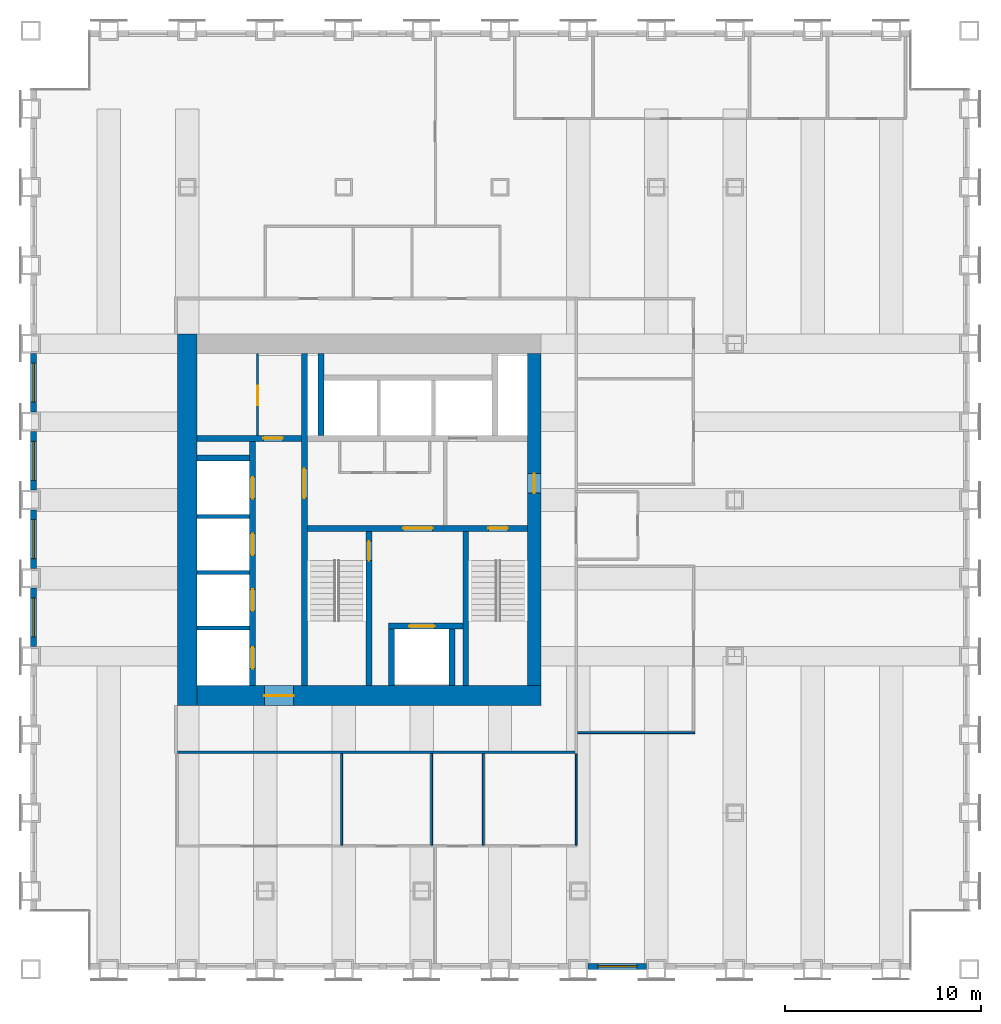
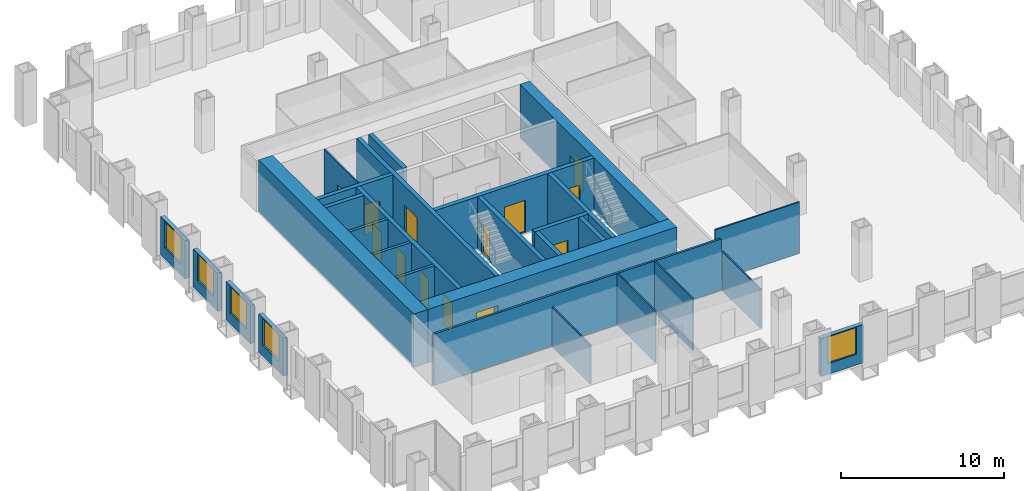
# One storey, part 10 of 14: 29 walls, 13 doors, 5 windows, 18 openings.
"""IFC4 building model written with IfcOpenShell, lengths in metres."""

from ifc_helpers import new_model, si_unit, direction, frame, frame_2d, origin, place, context, subcontext, project, spatial, rectangle, extrude, material, layer, layer_set, type_object, element, fill, save


model = new_model("IFC4")

# Units and contexts
model_context = context("Model", 3, precision=1e-05, world=origin(), true_north=direction((0.0, 1.0)))
body_context = subcontext(model_context, "Body", "Model", "MODEL_VIEW")
ifc_project = project(units=[si_unit("LENGTHUNIT", "METRE"), si_unit("AREAUNIT", "SQUARE_METRE"), si_unit("VOLUMEUNIT", "CUBIC_METRE"), si_unit("PLANEANGLEUNIT", "RADIAN"), si_unit("MASSUNIT", "GRAM", prefix="KILO")], contexts=[model_context])

# Site, building, storey
site_placement = place(None, origin())
site = spatial("IfcSite", under=ifc_project, at=site_placement, CompositionType="ELEMENT")
building_placement = place(site_placement, origin())
building = spatial("IfcBuilding", under=site, at=building_placement, Name="Rimbunsela Tower", CompositionType="ELEMENT")
storey_placement = place(building_placement, frame((0.0, 0.0, 109.39990234375)))
storey = spatial("IfcBuildingStorey", under=building, at=storey_placement, Name="L26", CompositionType="ELEMENT", Elevation=109.39990234375)

# Wall, opening, door
ifc_material_1 = material(Name="Concrete fc' 80 MPa", Category="concrete")
ifc_layer_1 = layer(ifc_material_1, 0.300048828125)
ifc_layer_set_1 = layer_set([ifc_layer_1], Name="Core internal wall 300")
wall_type_1 = type_object("IfcWallType", Name="Core internal wall 300", PredefinedType="SHEAR", material=ifc_layer_set_1)
wall_1_placement = place(storey_placement, frame((24.0, 18.5, -0.14990234375), z_axis=(0.0, 0.0, 1.0), x_axis=(0.0, 1.0, 0.0)))
wall_1 = element("IfcWall", 1, at=wall_1_placement, inside=storey, type_object=wall_type_1, Name="Core wall at stair A", PredefinedType="SHEAR", context=body_context, shape_type="SweptSolid", body=[
    extrude(rectangle(XDim=17.0, YDim=0.300048828125, at=frame_2d((8.5, 0.0))), origin(), (0.0, 0.0, 1.0), 4.0),
])
opening_1_placement = place(wall_1_placement, frame((9.60009765625, 0.0, 0.14990234375)))
opening_1 = element("IfcOpeningElement", 2, at=opening_1_placement, cuts=wall_1, Name="Opening D03", PredefinedType="OPENING", context=body_context, shape_type="SweptSolid", body=[
    extrude(rectangle(XDim=1.5, YDim=2.39990234375, at=frame_2d((0.75, 1.199951171875))), frame((0.0, 0.159912109375, 0.0), z_axis=(0.0, -1.0, 0.0), x_axis=(1.0, 0.0, 0.0)), (0.0, 0.0, 1.0), 0.320068359375),
])
ifc_material_2 = material(Name="Steel door, fire rated", Category="steel")
door_type_1 = type_object("IfcDoorType", Name="Core lobby door 1500", OperationType="DOUBLE_DOOR_DOUBLE_SWING", PredefinedType="DOOR", material=ifc_material_2)
door_1_placement = place(opening_1_placement, origin())
door_1 = element("IfcDoor", 3, at=door_1_placement, inside=storey, type_object=door_type_1, Name="West lobby door", OperationType="DOUBLE_DOOR_DOUBLE_SWING", OverallHeight=2.39990234375, OverallWidth=1.5, PredefinedType="DOOR", context=body_context, shape_type="SweptSolid", body=[
    extrude(rectangle(XDim=1.5, YDim=2.39990234375, at=frame_2d((0.75, 1.199951171875))), frame((0.0, 0.02490234375, 0.0), z_axis=(0.0, -1.0, 0.0), x_axis=(1.0, 0.0, 0.0)), (0.0, 0.0, 1.0), 0.050048828125),
])
fill(opening_1, door_1)

# Wall, openings, doors
wall_2_placement = place(storey_placement, frame((24.14990234375, 26.550048828125, -0.14990234375), z_axis=(0.0, 0.0, 1.0), x_axis=(1.0, 0.0, 0.0)))
wall_2 = element("IfcWall", 4, at=wall_2_placement, inside=storey, type_object=wall_type_1, Name="Core wall lobby south", PredefinedType="SHEAR", context=body_context, shape_type="SweptSolid", body=[
    extrude(rectangle(XDim=11.25, YDim=0.300048828125, at=frame_2d((5.625, 0.0))), origin(), (0.0, 0.0, 1.0), 4.0),
])
opening_2_placement = place(wall_2_placement, frame((9.25, 0.0, 0.14990234375)))
opening_2 = element("IfcOpeningElement", 5, at=opening_2_placement, cuts=wall_2, Name="Opening D01", PredefinedType="OPENING", context=body_context, shape_type="SweptSolid", body=[
    extrude(rectangle(XDim=1.0, YDim=2.199951171875, at=frame_2d((0.5, 1.10009765625))), frame((0.0, 0.159912109375, 0.0), z_axis=(0.0, -1.0, 0.0), x_axis=(1.0, 0.0, 0.0)), (0.0, 0.0, 1.0), 0.320068359375),
])
opening_3_placement = place(wall_2_placement, frame((4.89990234375, 0.0, 0.14990234375)))
opening_3 = element("IfcOpeningElement", 6, at=opening_3_placement, cuts=wall_2, Name="Opening D03", PredefinedType="OPENING", context=body_context, shape_type="SweptSolid", body=[
    extrude(rectangle(XDim=1.5, YDim=2.39990234375, at=frame_2d((0.75, 1.199951171875))), frame((0.0, 0.159912109375, 0.0), z_axis=(0.0, -1.0, 0.0), x_axis=(1.0, 0.0, 0.0)), (0.0, 0.0, 1.0), 0.320068359375),
])
door_2_placement = place(opening_3_placement, origin())
door_2 = element("IfcDoor", 7, at=door_2_placement, inside=storey, type_object=door_type_1, Name="Firefighting lobby door", OperationType="DOUBLE_DOOR_DOUBLE_SWING", OverallHeight=2.39990234375, OverallWidth=1.5, PredefinedType="DOOR", context=body_context, shape_type="SweptSolid", body=[
    extrude(rectangle(XDim=1.5, YDim=2.39990234375, at=frame_2d((0.75, 1.199951171875))), frame((0.0, 0.02490234375, 0.0), z_axis=(0.0, -1.0, 0.0), x_axis=(1.0, 0.0, 0.0)), (0.0, 0.0, 1.0), 0.050048828125),
])
fill(opening_3, door_2)
ifc_material_3 = material(Name="Steel door, fire rated", Category="steel")
door_type_2 = type_object("IfcDoorType", Name="Stair door 1000", OperationType="SINGLE_SWING_RIGHT", PredefinedType="DOOR", material=ifc_material_3)
door_3_placement = place(opening_2_placement, frame((1.0, 0.0, 0.0), z_axis=(0.0, 0.0, 1.0), x_axis=(-1.0, 0.0, 0.0)))
door_3 = element("IfcDoor", 8, at=door_3_placement, inside=storey, type_object=door_type_2, Name="Stair B door", OperationType="SINGLE_SWING_RIGHT", OverallHeight=2.199951171875, OverallWidth=1.0, PredefinedType="DOOR", context=body_context, shape_type="SweptSolid", body=[
    extrude(rectangle(XDim=1.0, YDim=2.199951171875, at=frame_2d((0.5, 1.10009765625))), frame((0.0, 0.02490234375, 0.0), z_axis=(0.0, -1.0, 0.0), x_axis=(1.0, 0.0, 0.0)), (0.0, 0.0, 1.0), 0.050048828125),
])
fill(opening_2, door_3)

# Wall, opening, door
wall_3_placement = place(storey_placement, frame((27.300048828125, 18.5, -0.14990234375), z_axis=(0.0, 0.0, 1.0), x_axis=(0.0, 1.0, 0.0)))
wall_3 = element("IfcWall", 9, at=wall_3_placement, inside=storey, type_object=wall_type_1, Name="Stair A enclosure", PredefinedType="SHEAR", context=body_context, shape_type="SweptSolid", body=[
    extrude(rectangle(XDim=7.89990234375, YDim=0.300048828125, at=frame_2d((3.949951171875, 0.0))), origin(), (0.0, 0.0, 1.0), 4.0),
])
opening_4_placement = place(wall_3_placement, frame((6.39990234375, 0.0, 0.14990234375)))
opening_4 = element("IfcOpeningElement", 10, at=opening_4_placement, cuts=wall_3, Name="Opening D01", PredefinedType="OPENING", context=body_context, shape_type="SweptSolid", body=[
    extrude(rectangle(XDim=1.0, YDim=2.199951171875, at=frame_2d((0.5, 1.10009765625))), frame((0.0, 0.159912109375, 0.0), z_axis=(0.0, -1.0, 0.0), x_axis=(1.0, 0.0, 0.0)), (0.0, 0.0, 1.0), 0.320068359375),
])
door_4_placement = place(opening_4_placement, origin())
door_4 = element("IfcDoor", 11, at=door_4_placement, inside=storey, type_object=door_type_2, Name="Stair A door", OperationType="SINGLE_SWING_RIGHT", OverallHeight=2.199951171875, OverallWidth=1.0, PredefinedType="DOOR", context=body_context, shape_type="SweptSolid", body=[
    extrude(rectangle(XDim=1.0, YDim=2.199951171875, at=frame_2d((0.5, 1.10009765625))), frame((0.0, 0.02490234375, 0.0), z_axis=(0.0, -1.0, 0.0), x_axis=(1.0, 0.0, 0.0)), (0.0, 0.0, 1.0), 0.050048828125),
])
fill(opening_4, door_4)

# Walls
wall_4_placement = place(storey_placement, frame((32.25, 18.5, -0.14990234375), z_axis=(0.0, 0.0, 1.0), x_axis=(0.0, 1.0, 0.0)))
element("IfcWall", 12, at=wall_4_placement, inside=storey, type_object=wall_type_1, Name="Stair B enclosure", PredefinedType="SHEAR", context=body_context, shape_type="SweptSolid", body=[
    extrude(rectangle(XDim=7.89990234375, YDim=0.300048828125, at=frame_2d((3.949951171875, 0.0))), origin(), (0.0, 0.0, 1.0), 4.0),
])
for number, where, z_axis, x_axis, name in (
    (13, (28.449951171875, 18.5, -0.14990234375), (0.0, 0.0, 1.0), (0.0, 1.0, 0.0), "Firefighting lift shaft west"),
    (14, (31.550048828125, 18.5, -0.14990234375), (0.0, 0.0, 1.0), (0.0, 1.0, 0.0), "Firefighting lift shaft east"),
):
    element("IfcWall", number, at=place(storey_placement, frame(where, z_axis=z_axis, x_axis=x_axis)), inside=storey, type_object=wall_type_1, Name=name, PredefinedType="SHEAR", context=body_context, shape_type="SweptSolid", body=[
        extrude(rectangle(XDim=2.89990234375, YDim=0.300048828125, at=frame_2d((1.449951171875, 0.0))), origin(), (0.0, 0.0, 1.0), 4.0),
    ])

# Wall, opening, door
wall_5_placement = place(storey_placement, frame((28.300048828125, 21.550048828125, -0.14990234375), z_axis=(0.0, 0.0, 1.0), x_axis=(1.0, 0.0, 0.0)))
wall_5 = element("IfcWall", 15, at=wall_5_placement, inside=storey, type_object=wall_type_1, Name="Firefighting lift shaft front", PredefinedType="SHEAR", context=body_context, shape_type="SweptSolid", body=[
    extrude(rectangle(XDim=3.800048828125, YDim=0.300048828125, at=frame_2d((1.89990234375, 0.0))), origin(), (0.0, 0.0, 1.0), 4.0),
])
opening_5_placement = place(wall_5_placement, frame((1.050048828125, 0.0, 0.14990234375)))
opening_5 = element("IfcOpeningElement", 16, at=opening_5_placement, cuts=wall_5, Name="Opening LD2", PredefinedType="OPENING", context=body_context, shape_type="SweptSolid", body=[
    extrude(rectangle(XDim=1.300048828125, YDim=2.39990234375, at=frame_2d((0.64990234375, 1.199951171875))), frame((0.0, 0.159912109375, 0.0), z_axis=(0.0, -1.0, 0.0), x_axis=(1.0, 0.0, 0.0)), (0.0, 0.0, 1.0), 0.320068359375),
])
ifc_material_4 = material(Name="Steel door, fire rated", Category="steel")
door_type_3 = type_object("IfcDoorType", Name="Lift landing door 1300", OperationType="DOUBLE_DOOR_SLIDING", PredefinedType="DOOR", material=ifc_material_4)
door_5_placement = place(opening_5_placement, origin())
door_5 = element("IfcDoor", 17, at=door_5_placement, inside=storey, type_object=door_type_3, Name="Lift landing door FL1", OperationType="DOUBLE_DOOR_SLIDING", OverallHeight=2.39990234375, OverallWidth=1.300048828125, PredefinedType="DOOR", context=body_context, shape_type="SweptSolid", body=[
    extrude(rectangle(XDim=1.300048828125, YDim=2.39990234375, at=frame_2d((0.64990234375, 1.199951171875))), frame((0.0, 0.02490234375, 0.0), z_axis=(0.0, -1.0, 0.0), x_axis=(1.0, 0.0, 0.0)), (0.0, 0.0, 1.0), 0.050048828125),
])
fill(opening_5, door_5)

# Wall, openings, doors
wall_6_placement = place(storey_placement, frame((21.35009765625, 18.5, -0.14990234375), z_axis=(0.0, 0.0, 1.0), x_axis=(0.0, 1.0, 0.0)))
wall_6 = element("IfcWall", 18, at=wall_6_placement, inside=storey, type_object=wall_type_1, Name="Lift shaft front west", PredefinedType="SHEAR", context=body_context, shape_type="SweptSolid", body=[
    extrude(rectangle(XDim=12.5, YDim=0.300048828125, at=frame_2d((6.25, 0.0))), origin(), (0.0, 0.0, 1.0), 4.0),
])
opening_6_placement = place(wall_6_placement, frame((0.875, 0.0, 0.14990234375)))
opening_6 = element("IfcOpeningElement", 19, at=opening_6_placement, cuts=wall_6, Name="Opening LD1", PredefinedType="OPENING", context=body_context, shape_type="SweptSolid", body=[
    extrude(rectangle(XDim=1.10009765625, YDim=2.199951171875, at=frame_2d((0.550048828125, 1.10009765625))), frame((0.0, 0.159912109375, 0.0), z_axis=(0.0, -1.0, 0.0), x_axis=(1.0, 0.0, 0.0)), (0.0, 0.0, 1.0), 0.320068359375),
])
opening_7_placement = place(wall_6_placement, frame((3.824951171875, 0.0, 0.14990234375)))
opening_7 = element("IfcOpeningElement", 20, at=opening_7_placement, cuts=wall_6, Name="Opening LD1", PredefinedType="OPENING", context=body_context, shape_type="SweptSolid", body=[
    extrude(rectangle(XDim=1.10009765625, YDim=2.199951171875, at=frame_2d((0.550048828125, 1.10009765625))), frame((0.0, 0.159912109375, 0.0), z_axis=(0.0, -1.0, 0.0), x_axis=(1.0, 0.0, 0.0)), (0.0, 0.0, 1.0), 0.320068359375),
])
opening_8_placement = place(wall_6_placement, frame((6.675048828125, 0.0, 0.14990234375)))
opening_8 = element("IfcOpeningElement", 21, at=opening_8_placement, cuts=wall_6, Name="Opening LD1", PredefinedType="OPENING", context=body_context, shape_type="SweptSolid", body=[
    extrude(rectangle(XDim=1.10009765625, YDim=2.199951171875, at=frame_2d((0.550048828125, 1.10009765625))), frame((0.0, 0.159912109375, 0.0), z_axis=(0.0, -1.0, 0.0), x_axis=(1.0, 0.0, 0.0)), (0.0, 0.0, 1.0), 0.320068359375),
])
opening_9_placement = place(wall_6_placement, frame((9.574951171875, 0.0, 0.14990234375)))
opening_9 = element("IfcOpeningElement", 22, at=opening_9_placement, cuts=wall_6, Name="Opening LD1", PredefinedType="OPENING", context=body_context, shape_type="SweptSolid", body=[
    extrude(rectangle(XDim=1.10009765625, YDim=2.199951171875, at=frame_2d((0.550048828125, 1.10009765625))), frame((0.0, 0.159912109375, 0.0), z_axis=(0.0, -1.0, 0.0), x_axis=(1.0, 0.0, 0.0)), (0.0, 0.0, 1.0), 0.320068359375),
])
ifc_material_5 = material(Name="Steel door, fire rated", Category="steel")
door_type_4 = type_object("IfcDoorType", Name="Lift landing door 1100", OperationType="DOUBLE_DOOR_SLIDING", PredefinedType="DOOR", material=ifc_material_5)
door_6_placement = place(opening_6_placement, origin())
door_6 = element("IfcDoor", 23, at=door_6_placement, inside=storey, type_object=door_type_4, Name="Lift landing door ML1", OperationType="DOUBLE_DOOR_SLIDING", OverallHeight=2.199951171875, OverallWidth=1.10009765625, PredefinedType="DOOR", context=body_context, shape_type="SweptSolid", body=[
    extrude(rectangle(XDim=1.10009765625, YDim=2.199951171875, at=frame_2d((0.550048828125, 1.10009765625))), frame((0.0, 0.02490234375, 0.0), z_axis=(0.0, -1.0, 0.0), x_axis=(1.0, 0.0, 0.0)), (0.0, 0.0, 1.0), 0.050048828125),
])
fill(opening_6, door_6)
door_7_placement = place(opening_7_placement, origin())
door_7 = element("IfcDoor", 24, at=door_7_placement, inside=storey, type_object=door_type_4, Name="Lift landing door ML2", OperationType="DOUBLE_DOOR_SLIDING", OverallHeight=2.199951171875, OverallWidth=1.10009765625, PredefinedType="DOOR", context=body_context, shape_type="SweptSolid", body=[
    extrude(rectangle(XDim=1.10009765625, YDim=2.199951171875, at=frame_2d((0.550048828125, 1.10009765625))), frame((0.0, 0.02490234375, 0.0), z_axis=(0.0, -1.0, 0.0), x_axis=(1.0, 0.0, 0.0)), (0.0, 0.0, 1.0), 0.050048828125),
])
fill(opening_7, door_7)
door_8_placement = place(opening_8_placement, origin())
door_8 = element("IfcDoor", 25, at=door_8_placement, inside=storey, type_object=door_type_4, Name="Lift landing door ML3", OperationType="DOUBLE_DOOR_SLIDING", OverallHeight=2.199951171875, OverallWidth=1.10009765625, PredefinedType="DOOR", context=body_context, shape_type="SweptSolid", body=[
    extrude(rectangle(XDim=1.10009765625, YDim=2.199951171875, at=frame_2d((0.550048828125, 1.10009765625))), frame((0.0, 0.02490234375, 0.0), z_axis=(0.0, -1.0, 0.0), x_axis=(1.0, 0.0, 0.0)), (0.0, 0.0, 1.0), 0.050048828125),
])
fill(opening_8, door_8)
door_9_placement = place(opening_9_placement, origin())
door_9 = element("IfcDoor", 26, at=door_9_placement, inside=storey, type_object=door_type_4, Name="Lift landing door ML4", OperationType="DOUBLE_DOOR_SLIDING", OverallHeight=2.199951171875, OverallWidth=1.10009765625, PredefinedType="DOOR", context=body_context, shape_type="SweptSolid", body=[
    extrude(rectangle(XDim=1.10009765625, YDim=2.199951171875, at=frame_2d((0.550048828125, 1.10009765625))), frame((0.0, 0.02490234375, 0.0), z_axis=(0.0, -1.0, 0.0), x_axis=(1.0, 0.0, 0.0)), (0.0, 0.0, 1.0), 0.050048828125),
])
fill(opening_9, door_9)

# Wall, opening, door
wall_7_placement = place(storey_placement, frame((18.5, 31.14990234375, -0.14990234375), z_axis=(0.0, 0.0, 1.0), x_axis=(1.0, 0.0, 0.0)))
wall_7 = element("IfcWall", 27, at=wall_7_placement, inside=storey, type_object=wall_type_1, Name="Store wall", PredefinedType="SHEAR", context=body_context, shape_type="SweptSolid", body=[
    extrude(rectangle(XDim=5.35009765625, YDim=0.300048828125, at=frame_2d((2.675048828125, 0.0))), origin(), (0.0, 0.0, 1.0), 4.0),
])
opening_10_placement = place(wall_7_placement, frame((3.39990234375, 0.0, 0.14990234375)))
opening_10 = element("IfcOpeningElement", 28, at=opening_10_placement, cuts=wall_7, Name="Opening D19", PredefinedType="OPENING", context=body_context, shape_type="SweptSolid", body=[
    extrude(rectangle(XDim=1.0, YDim=2.199951171875, at=frame_2d((0.5, 1.10009765625))), frame((0.0, 0.159912109375, 0.0), z_axis=(0.0, -1.0, 0.0), x_axis=(1.0, 0.0, 0.0)), (0.0, 0.0, 1.0), 0.320068359375),
])
ifc_material_6 = material(Name="Steel door, fire rated", Category="steel")
door_type_5 = type_object("IfcDoorType", Name="Service door 1000 fire rated", OperationType="SINGLE_SWING_LEFT", PredefinedType="DOOR", material=ifc_material_6)
door_10_placement = place(opening_10_placement, origin())
door_10 = element("IfcDoor", 29, at=door_10_placement, inside=storey, type_object=door_type_5, Name="Staff pantry door", OperationType="SINGLE_SWING_LEFT", OverallHeight=2.199951171875, OverallWidth=1.0, PredefinedType="DOOR", context=body_context, shape_type="SweptSolid", body=[
    extrude(rectangle(XDim=1.0, YDim=2.199951171875, at=frame_2d((0.5, 1.10009765625))), frame((0.0, 0.02490234375, 0.0), z_axis=(0.0, -1.0, 0.0), x_axis=(1.0, 0.0, 0.0)), (0.0, 0.0, 1.0), 0.050048828125),
])
fill(opening_10, door_10)

# Walls
wall_8_placement = place(storey_placement, frame((18.5, 30.14990234375, -0.14990234375), z_axis=(0.0, 0.0, 1.0), x_axis=(1.0, 0.0, 0.0)))
element("IfcWall", 30, at=wall_8_placement, inside=storey, type_object=wall_type_1, Name="Lift shaft rear west", PredefinedType="SHEAR", context=body_context, shape_type="SweptSolid", body=[
    extrude(rectangle(XDim=2.699951171875, YDim=0.300048828125, at=frame_2d((1.35009765625, 0.0))), origin(), (0.0, 0.0, 1.0), 4.0),
])
wall_9_placement = place(storey_placement, frame((24.85009765625, 31.300048828125, -0.14990234375), z_axis=(0.0, 0.0, 1.0), x_axis=(0.0, 1.0, 0.0)))
element("IfcWall", 31, at=wall_9_placement, inside=storey, type_object=wall_type_1, Name="Riser wall", PredefinedType="SHEAR", context=body_context, shape_type="SweptSolid", body=[
    extrude(rectangle(XDim=4.199951171875, YDim=0.300048828125, at=frame_2d((2.10009765625, 0.0))), origin(), (0.0, 0.0, 1.0), 4.0),
])

# Wall, opening, door
ifc_material_7 = material(Name="Concrete blockwork", Category="masonry")
ifc_layer_2 = layer(ifc_material_7, 0.10009765625)
ifc_layer_set_2 = layer_set([ifc_layer_2], Name="Core room partition 100")
wall_type_2 = type_object("IfcWallType", Name="Core room partition 100", PredefinedType="PARTITIONING", material=ifc_layer_set_2)
wall_10_placement = place(storey_placement, frame((21.60009765625, 31.300048828125, 0.0), z_axis=(0.0, 0.0, 1.0), x_axis=(0.0, 1.0, 0.0)))
wall_10 = element("IfcWall", 32, at=wall_10_placement, inside=storey, type_object=wall_type_2, Name="Housekeeping store wall", PredefinedType="PARTITIONING", context=body_context, shape_type="SweptSolid", body=[
    extrude(rectangle(XDim=4.199951171875, YDim=0.10009765625, at=frame_2d((2.10009765625, 0.0))), origin(), (0.0, 0.0, 1.0), 3.85009765625),
])
opening_11_placement = place(wall_10_placement, frame((1.550048828125, 0.0, 0.0)))
opening_11 = element("IfcOpeningElement", 33, at=opening_11_placement, cuts=wall_10, Name="Opening D19", PredefinedType="OPENING", context=body_context, shape_type="SweptSolid", body=[
    extrude(rectangle(XDim=1.0, YDim=2.199951171875, at=frame_2d((0.5, 1.10009765625))), frame((0.0, 0.06005859375, 0.0), z_axis=(0.0, -1.0, 0.0), x_axis=(1.0, 0.0, 0.0)), (0.0, 0.0, 1.0), 0.1201171875),
])
door_11_placement = place(opening_11_placement, origin())
door_11 = element("IfcDoor", 34, at=door_11_placement, inside=storey, type_object=door_type_5, Name="Housekeeping store door", OperationType="SINGLE_SWING_LEFT", OverallHeight=2.199951171875, OverallWidth=1.0, PredefinedType="DOOR", context=body_context, shape_type="SweptSolid", body=[
    extrude(rectangle(XDim=1.0, YDim=2.199951171875, at=frame_2d((0.5, 1.10009765625))), frame((0.0, 0.02490234375, 0.0), z_axis=(0.0, -1.0, 0.0), x_axis=(1.0, 0.0, 0.0)), (0.0, 0.0, 1.0), 0.050048828125),
])
fill(opening_11, door_11)

# Wall
ifc_material_8 = material(Name="Concrete fc' 80 MPa", Category="concrete")
ifc_layer_3 = layer(ifc_material_8, 1.0)
ifc_layer_set_3 = layer_set([ifc_layer_3], Name="Core wall 1000")
wall_type_3 = type_object("IfcWallType", Name="Core wall 1000", PredefinedType="SHEAR", material=ifc_layer_set_3)
wall_11_placement = place(storey_placement, frame((18.0, 17.5, -0.14990234375), z_axis=(0.0, 0.0, 1.0), x_axis=(0.0, 1.0, 0.0)))
element("IfcWall", 35, at=wall_11_placement, inside=storey, type_object=wall_type_3, Name="Core wall west", PredefinedType="SHEAR", context=body_context, shape_type="SweptSolid", body=[
    extrude(rectangle(XDim=19.0, YDim=1.0, at=frame_2d((9.5, 0.0))), origin(), (0.0, 0.0, 1.0), 4.0),
])

# Wall, opening, door
wall_12_placement = place(storey_placement, frame((18.5, 18.0, -0.14990234375), z_axis=(0.0, 0.0, 1.0), x_axis=(1.0, 0.0, 0.0)))
wall_12 = element("IfcWall", 36, at=wall_12_placement, inside=storey, type_object=wall_type_3, Name="Core wall south", PredefinedType="SHEAR", context=body_context, shape_type="SweptSolid", body=[
    extrude(rectangle(XDim=17.60009765625, YDim=1.0, at=frame_2d((8.800048828125, 0.0))), origin(), (0.0, 0.0, 1.0), 4.0),
])
opening_12_placement = place(wall_12_placement, frame((3.449951171875, 0.0, 0.14990234375)))
opening_12 = element("IfcOpeningElement", 37, at=opening_12_placement, cuts=wall_12, Name="Opening D03", PredefinedType="OPENING", context=body_context, shape_type="SweptSolid", body=[
    extrude(rectangle(XDim=1.5, YDim=2.39990234375, at=frame_2d((0.75, 1.199951171875))), frame((0.0, 0.510009765625, 0.0), z_axis=(0.0, -1.0, 0.0), x_axis=(1.0, 0.0, 0.0)), (0.0, 0.0, 1.0), 1.02001953125),
])
door_12_placement = place(opening_12_placement, origin())
door_12 = element("IfcDoor", 38, at=door_12_placement, inside=storey, type_object=door_type_1, Name="Core door south", OperationType="DOUBLE_DOOR_DOUBLE_SWING", OverallHeight=2.39990234375, OverallWidth=1.5, PredefinedType="DOOR", context=body_context, shape_type="SweptSolid", body=[
    extrude(rectangle(XDim=1.5, YDim=2.39990234375, at=frame_2d((0.75, 1.199951171875))), frame((0.0, 0.02490234375, 0.0), z_axis=(0.0, -1.0, 0.0), x_axis=(1.0, 0.0, 0.0)), (0.0, 0.0, 1.0), 0.050048828125),
])
fill(opening_12, door_12)

ifc_material_9 = material(Name="Concrete fc' 80 MPa", Category="concrete")
ifc_layer_4 = layer(ifc_material_9, 0.699951171875)
ifc_layer_set_4 = layer_set([ifc_layer_4], Name="Core wall 700 east")
wall_type_4 = type_object("IfcWallType", Name="Core wall 700 east", PredefinedType="SHEAR", material=ifc_layer_set_4)
wall_13_placement = place(storey_placement, frame((35.75, 18.5, -0.14990234375), z_axis=(0.0, 0.0, 1.0), x_axis=(0.0, 1.0, 0.0)))
wall_13 = element("IfcWall", 39, at=wall_13_placement, inside=storey, type_object=wall_type_4, Name="Core wall east", PredefinedType="SHEAR", context=body_context, shape_type="SweptSolid", body=[
    extrude(rectangle(XDim=17.0, YDim=0.699951171875, at=frame_2d((8.5, 0.0))), origin(), (0.0, 0.0, 1.0), 4.0),
])
opening_13_placement = place(wall_13_placement, frame((9.85009765625, 0.0, 0.14990234375)))
opening_13 = element("IfcOpeningElement", 40, at=opening_13_placement, cuts=wall_13, Name="Opening D01", PredefinedType="OPENING", context=body_context, shape_type="SweptSolid", body=[
    extrude(rectangle(XDim=1.0, YDim=2.199951171875, at=frame_2d((0.5, 1.10009765625))), frame((0.0, 0.35986328125, 0.0), z_axis=(0.0, -1.0, 0.0), x_axis=(1.0, 0.0, 0.0)), (0.0, 0.0, 1.0), 0.719970703125),
])
door_13_placement = place(opening_13_placement, origin())
door_13 = element("IfcDoor", 41, at=door_13_placement, inside=storey, type_object=door_type_2, Name="Firefighting lobby 2 door", OperationType="SINGLE_SWING_RIGHT", OverallHeight=2.199951171875, OverallWidth=1.0, PredefinedType="DOOR", context=body_context, shape_type="SweptSolid", body=[
    extrude(rectangle(XDim=1.0, YDim=2.199951171875, at=frame_2d((0.5, 1.10009765625))), frame((0.0, 0.02490234375, 0.0), z_axis=(0.0, -1.0, 0.0), x_axis=(1.0, 0.0, 0.0)), (0.0, 0.0, 1.0), 0.050048828125),
])
fill(opening_13, door_13)

# Walls
ifc_material_10 = material(Name="Concrete blockwork", Category="masonry")
ifc_layer_5 = layer(ifc_material_10, 0.199951171875)
ifc_layer_set_5 = layer_set([ifc_layer_5], Name="Lift shaft wall 200")
wall_type_5 = type_object("IfcWallType", Name="Lift shaft wall 200", PredefinedType="SOLIDWALL", material=ifc_layer_set_5)
for number, where, z_axis, x_axis, name in (
    (42, (18.5, 21.449951171875, -0.14990234375), (0.0, 0.0, 1.0), (1.0, 0.0, 0.0), "Lift shaft separation"),
    (43, (18.5, 24.300048828125, -0.14990234375), (0.0, 0.0, 1.0), (1.0, 0.0, 0.0), "Lift shaft separation"),
    (44, (18.5, 27.14990234375, -0.14990234375), (0.0, 0.0, 1.0), (1.0, 0.0, 0.0), "Lift shaft separation"),
):
    element("IfcWall", number, at=place(storey_placement, frame(where, z_axis=z_axis, x_axis=x_axis)), inside=storey, type_object=wall_type_5, Name=name, PredefinedType="SOLIDWALL", context=body_context, shape_type="SweptSolid", body=[
        extrude(rectangle(XDim=2.699951171875, YDim=0.199951171875, at=frame_2d((1.35009765625, 0.0))), origin(), (0.0, 0.0, 1.0), 4.0),
    ])
ifc_material_11 = material(Name="Gypsum board on steel studs", Category="steel")
ifc_layer_6 = layer(ifc_material_11, 0.10009765625)
ifc_layer_set_6 = layer_set([ifc_layer_6], Name="Office partition 100")
wall_type_6 = type_object("IfcWallType", Name="Office partition 100", PredefinedType="PARTITIONING", material=ifc_layer_set_6)
wall_14_placement = place(storey_placement, frame((37.97509765625, 16.10009765625, 0.0), z_axis=(0.0, 0.0, 1.0), x_axis=(1.0, 0.0, 0.0)))
element("IfcWall", 45, at=wall_14_placement, inside=storey, type_object=wall_type_6, Name="Office partition", PredefinedType="PARTITIONING", context=body_context, shape_type="SweptSolid", body=[
    extrude(rectangle(XDim=5.974853515625, YDim=0.10009765625, at=frame_2d((2.9873046875, 0.0))), origin(), (0.0, 0.0, 1.0), 3.85009765625),
])
wall_15_placement = place(storey_placement, frame((25.89990234375, 10.35009765625, 0.0), z_axis=(0.0, 0.0, 1.0), x_axis=(0.0, 1.0, 0.0)))
element("IfcWall", 46, at=wall_15_placement, inside=storey, type_object=wall_type_6, Name="Office partition", PredefinedType="PARTITIONING", context=body_context, shape_type="SweptSolid", body=[
    extrude(rectangle(XDim=4.6748046875, YDim=0.10009765625, at=frame_2d((2.33740234375, 0.0))), origin(), (0.0, 0.0, 1.0), 2.9501953125),
])
for number, where, z_axis, x_axis, name in (
    (47, (30.5, 10.35009765625, 0.0), (0.0, 0.0, 1.0), (0.0, 1.0, 0.0), "Office partition"),
    (48, (33.14990234375, 10.35009765625, 0.0), (0.0, 0.0, 1.0), (0.0, 1.0, 0.0), "Office partition"),
):
    element("IfcWall", number, at=place(storey_placement, frame(where, z_axis=z_axis, x_axis=x_axis)), inside=storey, type_object=wall_type_6, Name=name, PredefinedType="PARTITIONING", context=body_context, shape_type="SweptSolid", body=[
        extrude(rectangle(XDim=4.6748046875, YDim=0.10009765625, at=frame_2d((2.33740234375, 0.0))), origin(), (0.0, 0.0, 1.0), 3.85009765625),
    ])
wall_16_placement = place(storey_placement, frame((37.89990234375, 10.35009765625, 0.0), z_axis=(0.0, 0.0, 1.0), x_axis=(0.0, 1.0, 0.0)))
element("IfcWall", 49, at=wall_16_placement, inside=storey, type_object=wall_type_6, Name="Office partition", PredefinedType="PARTITIONING", context=body_context, shape_type="SweptSolid", body=[
    extrude(rectangle(XDim=4.6748046875, YDim=0.10009765625, at=frame_2d((2.33740234375, 0.0))), origin(), (0.0, 0.0, 1.0), 2.9501953125),
])

# Wall, opening, window
ifc_material_12 = material(Name="Precast concrete fc' 35 MPa", Category="concrete")
ifc_layer_7 = layer(ifc_material_12, 0.300048828125)
ifc_layer_set_7 = layer_set([ifc_layer_7], Name="Precast concrete fc' 35 MPa")
wall_type_7 = type_object("IfcWallType", Name="Precast facade panel 300", PredefinedType="ELEMENTEDWALL", material=ifc_layer_set_7)
wall_17_placement = place(storey_placement, frame((38.5, 4.14990234375, 0.0), z_axis=(0.0, 0.0, 1.0), x_axis=(1.0, 0.0, 0.0)))
wall_17 = element("IfcWall", 50, at=wall_17_placement, inside=storey, type_object=wall_type_7, Name="Facade panel S L26", PredefinedType="ELEMENTEDWALL", context=body_context, shape_type="SweptSolid", body=[
    extrude(rectangle(XDim=3.0, YDim=0.300048828125, at=frame_2d((1.5, 0.0))), origin(), (0.0, 0.0, 1.0), 2.85009765625),
])
opening_14_placement = place(wall_17_placement, frame((0.5, 0.0, 0.800048828125)))
opening_14 = element("IfcOpeningElement", 51, at=opening_14_placement, cuts=wall_17, Name="Opening W1", PredefinedType="OPENING", context=body_context, shape_type="SweptSolid", body=[
    extrude(rectangle(XDim=2.0, YDim=2.0, at=frame_2d((1.0, 1.0))), frame((0.0, 0.159912109375, 0.0), z_axis=(0.0, -1.0, 0.0), x_axis=(1.0, 0.0, 0.0)), (0.0, 0.0, 1.0), 0.320068359375),
])
ifc_material_13 = material(Name="Clear glass in aluminium frame", Category="aluminium")
window_type = type_object("IfcWindowType", Name="Window W1 2000x2000", PartitioningType="DOUBLE_PANEL_VERTICAL", PredefinedType="WINDOW", material=ifc_material_13)
window_1_placement = place(opening_14_placement, origin())
window_1 = element("IfcWindow", 52, at=window_1_placement, inside=storey, type_object=window_type, Name="Window L26", OverallHeight=2.0, OverallWidth=2.0, PartitioningType="SINGLE_PANEL", PredefinedType="WINDOW", context=body_context, shape_type="SweptSolid", body=[
    extrude(rectangle(XDim=2.0, YDim=2.0, at=frame_2d((1.0, 1.0))), frame((0.0, 0.030029296875, 0.0), z_axis=(0.0, -1.0, 0.0), x_axis=(1.0, 0.0, 0.0)), (0.0, 0.0, 1.0), 0.06005859375),
])
fill(opening_14, window_1)

wall_18_placement = place(storey_placement, frame((10.14990234375, 23.5, 0.0), z_axis=(0.0, 0.0, 1.0), x_axis=(0.0, -1.0, 0.0)))
wall_18 = element("IfcWall", 53, at=wall_18_placement, inside=storey, type_object=wall_type_7, Name="Facade panel W L26", PredefinedType="ELEMENTEDWALL", context=body_context, shape_type="SweptSolid", body=[
    extrude(rectangle(XDim=3.0, YDim=0.300048828125, at=frame_2d((1.5, 0.0))), origin(), (0.0, 0.0, 1.0), 2.85009765625),
])
opening_15_placement = place(wall_18_placement, frame((0.5, 0.0, 0.800048828125)))
opening_15 = element("IfcOpeningElement", 54, at=opening_15_placement, cuts=wall_18, Name="Opening W1", PredefinedType="OPENING", context=body_context, shape_type="SweptSolid", body=[
    extrude(rectangle(XDim=2.0, YDim=2.0, at=frame_2d((1.0, 1.0))), frame((0.0, 0.159912109375, 0.0), z_axis=(0.0, -1.0, 0.0), x_axis=(1.0, 0.0, 0.0)), (0.0, 0.0, 1.0), 0.320068359375),
])
window_2_placement = place(opening_15_placement, origin())
window_2 = element("IfcWindow", 55, at=window_2_placement, inside=storey, type_object=window_type, Name="Window L26", OverallHeight=2.0, OverallWidth=2.0, PartitioningType="SINGLE_PANEL", PredefinedType="WINDOW", context=body_context, shape_type="SweptSolid", body=[
    extrude(rectangle(XDim=2.0, YDim=2.0, at=frame_2d((1.0, 1.0))), frame((0.0, 0.030029296875, 0.0), z_axis=(0.0, -1.0, 0.0), x_axis=(1.0, 0.0, 0.0)), (0.0, 0.0, 1.0), 0.06005859375),
])
fill(opening_15, window_2)

wall_19_placement = place(storey_placement, frame((10.14990234375, 27.5, 0.0), z_axis=(0.0, 0.0, 1.0), x_axis=(0.0, -1.0, 0.0)))
wall_19 = element("IfcWall", 56, at=wall_19_placement, inside=storey, type_object=wall_type_7, Name="Facade panel W L26", PredefinedType="ELEMENTEDWALL", context=body_context, shape_type="SweptSolid", body=[
    extrude(rectangle(XDim=3.0, YDim=0.300048828125, at=frame_2d((1.5, 0.0))), origin(), (0.0, 0.0, 1.0), 2.85009765625),
])
opening_16_placement = place(wall_19_placement, frame((0.5, 0.0, 0.800048828125)))
opening_16 = element("IfcOpeningElement", 57, at=opening_16_placement, cuts=wall_19, Name="Opening W1", PredefinedType="OPENING", context=body_context, shape_type="SweptSolid", body=[
    extrude(rectangle(XDim=2.0, YDim=2.0, at=frame_2d((1.0, 1.0))), frame((0.0, 0.159912109375, 0.0), z_axis=(0.0, -1.0, 0.0), x_axis=(1.0, 0.0, 0.0)), (0.0, 0.0, 1.0), 0.320068359375),
])
window_3_placement = place(opening_16_placement, origin())
window_3 = element("IfcWindow", 58, at=window_3_placement, inside=storey, type_object=window_type, Name="Window L26", OverallHeight=2.0, OverallWidth=2.0, PartitioningType="SINGLE_PANEL", PredefinedType="WINDOW", context=body_context, shape_type="SweptSolid", body=[
    extrude(rectangle(XDim=2.0, YDim=2.0, at=frame_2d((1.0, 1.0))), frame((0.0, 0.030029296875, 0.0), z_axis=(0.0, -1.0, 0.0), x_axis=(1.0, 0.0, 0.0)), (0.0, 0.0, 1.0), 0.06005859375),
])
fill(opening_16, window_3)

wall_20_placement = place(storey_placement, frame((10.14990234375, 31.5, 0.0), z_axis=(0.0, 0.0, 1.0), x_axis=(0.0, -1.0, 0.0)))
wall_20 = element("IfcWall", 59, at=wall_20_placement, inside=storey, type_object=wall_type_7, Name="Facade panel W L26", PredefinedType="ELEMENTEDWALL", context=body_context, shape_type="SweptSolid", body=[
    extrude(rectangle(XDim=3.0, YDim=0.300048828125, at=frame_2d((1.5, 0.0))), origin(), (0.0, 0.0, 1.0), 2.85009765625),
])
opening_17_placement = place(wall_20_placement, frame((0.5, 0.0, 0.800048828125)))
opening_17 = element("IfcOpeningElement", 60, at=opening_17_placement, cuts=wall_20, Name="Opening W1", PredefinedType="OPENING", context=body_context, shape_type="SweptSolid", body=[
    extrude(rectangle(XDim=2.0, YDim=2.0, at=frame_2d((1.0, 1.0))), frame((0.0, 0.159912109375, 0.0), z_axis=(0.0, -1.0, 0.0), x_axis=(1.0, 0.0, 0.0)), (0.0, 0.0, 1.0), 0.320068359375),
])
window_4_placement = place(opening_17_placement, origin())
window_4 = element("IfcWindow", 61, at=window_4_placement, inside=storey, type_object=window_type, Name="Window L26", OverallHeight=2.0, OverallWidth=2.0, PartitioningType="SINGLE_PANEL", PredefinedType="WINDOW", context=body_context, shape_type="SweptSolid", body=[
    extrude(rectangle(XDim=2.0, YDim=2.0, at=frame_2d((1.0, 1.0))), frame((0.0, 0.030029296875, 0.0), z_axis=(0.0, -1.0, 0.0), x_axis=(1.0, 0.0, 0.0)), (0.0, 0.0, 1.0), 0.06005859375),
])
fill(opening_17, window_4)

wall_21_placement = place(storey_placement, frame((10.14990234375, 35.5, 0.0), z_axis=(0.0, 0.0, 1.0), x_axis=(0.0, -1.0, 0.0)))
wall_21 = element("IfcWall", 62, at=wall_21_placement, inside=storey, type_object=wall_type_7, Name="Facade panel W L26", PredefinedType="ELEMENTEDWALL", context=body_context, shape_type="SweptSolid", body=[
    extrude(rectangle(XDim=3.0, YDim=0.300048828125, at=frame_2d((1.5, 0.0))), origin(), (0.0, 0.0, 1.0), 2.85009765625),
])
opening_18_placement = place(wall_21_placement, frame((0.5, 0.0, 0.800048828125)))
opening_18 = element("IfcOpeningElement", 63, at=opening_18_placement, cuts=wall_21, Name="Opening W1", PredefinedType="OPENING", context=body_context, shape_type="SweptSolid", body=[
    extrude(rectangle(XDim=2.0, YDim=2.0, at=frame_2d((1.0, 1.0))), frame((0.0, 0.159912109375, 0.0), z_axis=(0.0, -1.0, 0.0), x_axis=(1.0, 0.0, 0.0)), (0.0, 0.0, 1.0), 0.320068359375),
])
window_5_placement = place(opening_18_placement, origin())
window_5 = element("IfcWindow", 64, at=window_5_placement, inside=storey, type_object=window_type, Name="Window L26", OverallHeight=2.0, OverallWidth=2.0, PartitioningType="SINGLE_PANEL", PredefinedType="WINDOW", context=body_context, shape_type="SweptSolid", body=[
    extrude(rectangle(XDim=2.0, YDim=2.0, at=frame_2d((1.0, 1.0))), frame((0.0, 0.030029296875, 0.0), z_axis=(0.0, -1.0, 0.0), x_axis=(1.0, 0.0, 0.0)), (0.0, 0.0, 1.0), 0.06005859375),
])
fill(opening_18, window_5)

# Wall
ifc_material_14 = material(Name="Fire-rated gypsum board on steel studs, EI 60", Category="steel")
ifc_layer_8 = layer(ifc_material_14, 0.14990234375)
ifc_layer_set_8 = layer_set([ifc_layer_8], Name="Rated corridor wall 150")
wall_type_8 = type_object("IfcWallType", Name="Rated corridor wall 150", PredefinedType="PARTITIONING", material=ifc_layer_set_8)
wall_22_placement = place(storey_placement, frame((17.5, 15.10009765625, 0.0), z_axis=(0.0, 0.0, 1.0), x_axis=(1.0, 0.0, 0.0)))
element("IfcWall", 65, at=wall_22_placement, inside=storey, type_object=wall_type_8, Name="Corridor wall south", PredefinedType="PARTITIONING", context=body_context, shape_type="SweptSolid", body=[
    extrude(rectangle(XDim=20.324951171875, YDim=0.14990234375, at=frame_2d((10.16259765625, 0.0))), origin(), (0.0, 0.0, 1.0), 3.85009765625),
])

save(model, "model.ifc")
